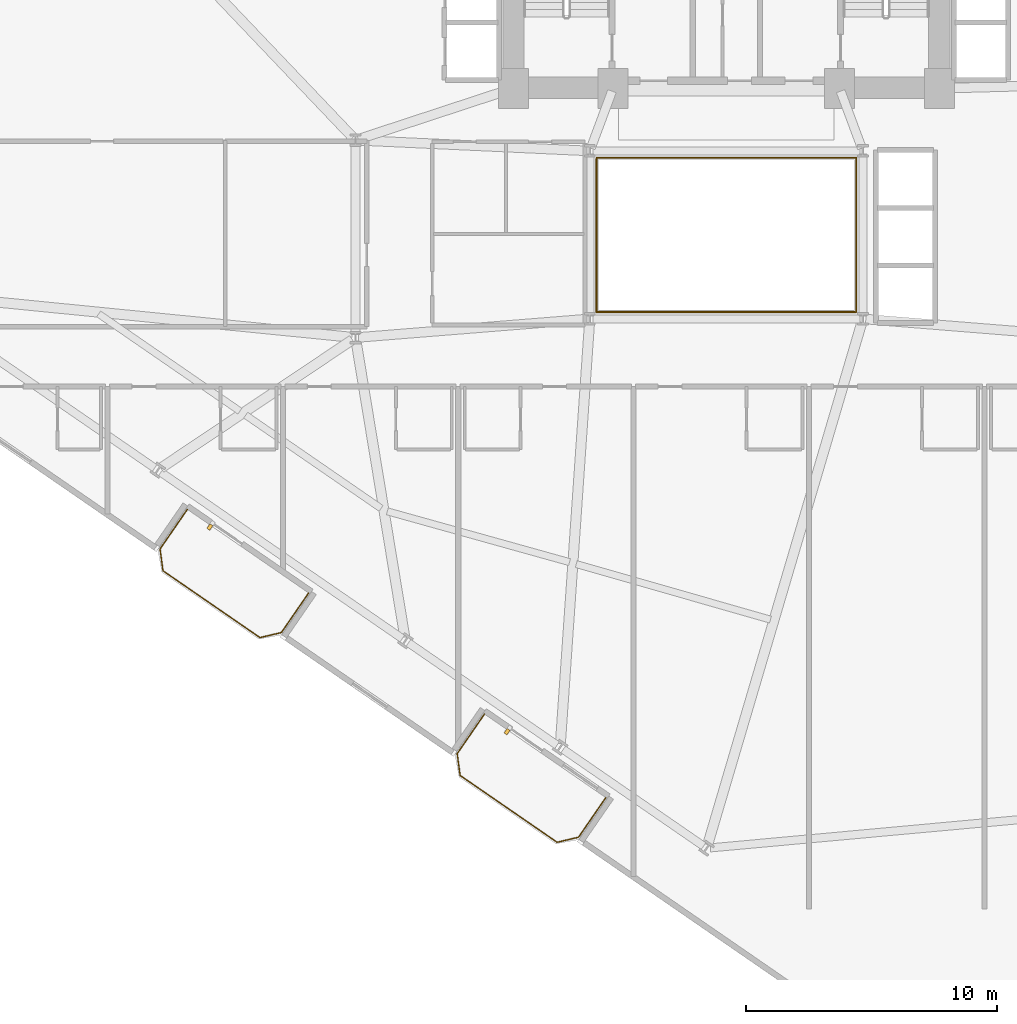
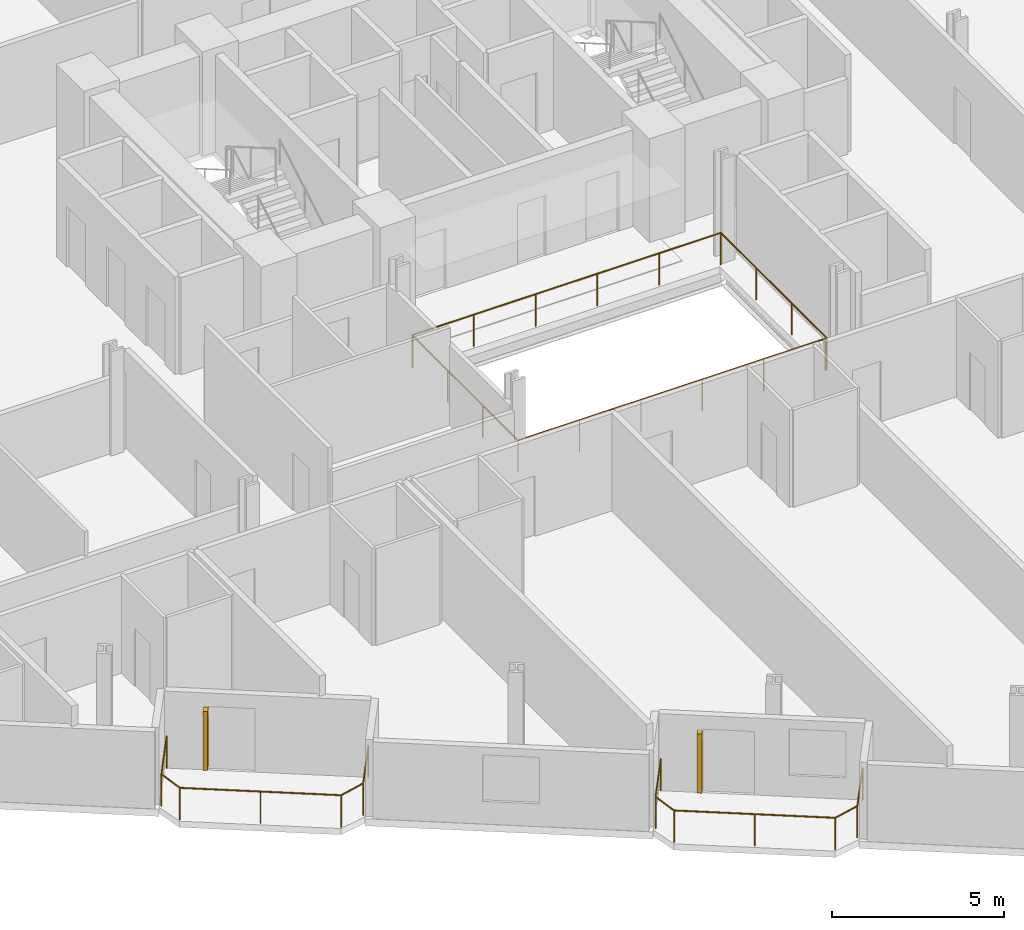
# One storey, part 23 of 25: 4 railings, 2 shading devices.
"""IFC4 building model written with IfcOpenShell, lengths in metres."""

from ifc_helpers import new_model, si_unit, direction, frame, origin, origin_2d, place, context, subcontext, project, spatial, rectangle, circle, extrude, source, transform, mapped, material, type_object, element, save


model = new_model("IFC4")

# Units and contexts
model_context = context("Model", 3, precision=1e-05, world=origin(), true_north=direction((0.0, 1.0)))
body_context = subcontext(model_context, "Body", "Model", "MODEL_VIEW")
ifc_project = project(units=[si_unit("LENGTHUNIT", "METRE"), si_unit("AREAUNIT", "SQUARE_METRE"), si_unit("VOLUMEUNIT", "CUBIC_METRE"), si_unit("PLANEANGLEUNIT", "RADIAN"), si_unit("MASSUNIT", "GRAM", prefix="KILO")], contexts=[model_context])

# Site, building, storey
site_placement = place(None, origin())
site = spatial("IfcSite", under=ifc_project, at=site_placement, CompositionType="ELEMENT")
building_placement = place(site_placement, origin())
building = spatial("IfcBuilding", under=site, at=building_placement, Name="Varnelok Gate Tower", CompositionType="ELEMENT")
storey_placement = place(building_placement, frame((0.0, 0.0, 49.199951171875)))
storey = spatial("IfcBuildingStorey", under=building, at=storey_placement, Name="L11", CompositionType="ELEMENT", Elevation=49.199951171875)

# Railings
ifc_material_1 = material(Name="Tempered Laminated Balustrade Glass", Category="glass")
railing_type_1 = type_object("IfcRailingType", Name="RL-ATR-GUARD1150", PredefinedType="GUARDRAIL", material=ifc_material_1)
railing_1_placement = place(storey_placement, frame((34.02001953125, 25.929931640625, 0.0)))
element("IfcRailing", 1, at=railing_1_placement, inside=storey, type_object=railing_type_1, Name="L11 Internal Atrium South-West Guardrail", PredefinedType="GUARDRAIL", context=body_context, shape_type="SweptSolid", body=[
    extrude(circle(Radius=0.02392578125, at=origin_2d()), frame((0.0, 0.0, 1.1259765625), z_axis=(0.0, -1.0, 0.0), x_axis=(1.0, 0.0, 0.0)), (0.0, 0.0, 1.0), 6.10986328125),
    extrude(circle(Radius=0.02392578125, at=origin_2d()), frame((0.0, -6.10986328125, 1.1259765625), z_axis=(1.0, 0.0, 0.0), x_axis=(0.0, 1.0, 0.0)), (0.0, 0.0, 1.0), 10.31005859375),
    extrude(circle(Radius=0.02099609375, at=origin_2d()), origin(), (0.0, 0.0, 1.0), 1.101806640625),
    extrude(circle(Radius=0.02099609375, at=origin_2d()), frame((0.0, -2.03662109375, 0.0)), (0.0, 0.0, 1.0), 1.101806640625),
    extrude(circle(Radius=0.02099609375, at=origin_2d()), frame((0.0, -4.0732421875, 0.0)), (0.0, 0.0, 1.0), 1.101806640625),
    extrude(circle(Radius=0.02099609375, at=origin_2d()), frame((0.0, -6.10986328125, 0.0)), (0.0, 0.0, 1.0), 1.101806640625),
    extrude(circle(Radius=0.02099609375, at=origin_2d()), frame((2.06201171875, -6.10986328125, 0.0)), (0.0, 0.0, 1.0), 1.101806640625),
    extrude(circle(Radius=0.02099609375, at=origin_2d()), frame((4.1240234375, -6.10986328125, 0.0)), (0.0, 0.0, 1.0), 1.101806640625),
    extrude(circle(Radius=0.02099609375, at=origin_2d()), frame((6.18603515625, -6.10986328125, 0.0)), (0.0, 0.0, 1.0), 1.101806640625),
    extrude(circle(Radius=0.02099609375, at=origin_2d()), frame((8.248046875, -6.10986328125, 0.0)), (0.0, 0.0, 1.0), 1.101806640625),
    extrude(circle(Radius=0.02099609375, at=origin_2d()), frame((10.31005859375, -6.10986328125, 0.0)), (0.0, 0.0, 1.0), 1.101806640625),
])
railing_2_placement = place(storey_placement, frame((44.3798828125, 19.820068359375, 0.0)))
element("IfcRailing", 2, at=railing_2_placement, inside=storey, type_object=railing_type_1, Name="L11 Internal Atrium North-East Guardrail", PredefinedType="GUARDRAIL", context=body_context, shape_type="SweptSolid", body=[
    extrude(circle(Radius=0.02392578125, at=origin_2d()), frame((0.0, 0.0, 1.1259765625), z_axis=(0.0, 1.0, 0.0), x_axis=(-1.0, 0.0, 0.0)), (0.0, 0.0, 1.0), 6.159912109375),
    extrude(circle(Radius=0.02392578125, at=origin_2d()), frame((0.0, 6.159912109375, 1.1259765625), z_axis=(-1.0, 0.0, 0.0), x_axis=(0.0, -1.0, 0.0)), (0.0, 0.0, 1.0), 10.35986328125),
    extrude(circle(Radius=0.02099609375, at=origin_2d()), origin(), (0.0, 0.0, 1.0), 1.101806640625),
    extrude(circle(Radius=0.02099609375, at=origin_2d()), frame((0.0, 2.05322265625, 0.0)), (0.0, 0.0, 1.0), 1.101806640625),
    extrude(circle(Radius=0.02099609375, at=origin_2d()), frame((0.0, 4.106689453125, 0.0)), (0.0, 0.0, 1.0), 1.101806640625),
    extrude(circle(Radius=0.02099609375, at=origin_2d()), frame((0.0, 6.159912109375, 0.0)), (0.0, 0.0, 1.0), 1.101806640625),
    extrude(circle(Radius=0.02099609375, at=origin_2d()), frame((-2.072021484375, 6.159912109375, 0.0)), (0.0, 0.0, 1.0), 1.101806640625),
    extrude(circle(Radius=0.02099609375, at=origin_2d()), frame((-4.14404296875, 6.159912109375, 0.0)), (0.0, 0.0, 1.0), 1.101806640625),
    extrude(circle(Radius=0.02099609375, at=origin_2d()), frame((-6.2158203125, 6.159912109375, 0.0)), (0.0, 0.0, 1.0), 1.101806640625),
    extrude(circle(Radius=0.02099609375, at=origin_2d()), frame((-8.287841796875, 6.159912109375, 0.0)), (0.0, 0.0, 1.0), 1.101806640625),
    extrude(circle(Radius=0.02099609375, at=origin_2d()), frame((-10.35986328125, 6.159912109375, 0.0)), (0.0, 0.0, 1.0), 1.101806640625),
])
ifc_material_2 = material(Name="Low-E Laminated Double Glazing IGU", Category="glass")
railing_type_2 = type_object("IfcRailingType", Name="RL-BALC-1150", PredefinedType="BALUSTRADE", material=ifc_material_2)
railing_3_placement = place(storey_placement, frame((17.688720703125, 11.9462890625, 0.0)))
element("IfcRailing", 3, at=railing_3_placement, inside=storey, type_object=railing_type_2, Name="L11 South Terrace Balustrade 1", PredefinedType="BALUSTRADE", context=body_context, shape_type="SweptSolid", body=[
    extrude(circle(Radius=0.02392578125, at=origin_2d()), frame((0.0, 0.0, 1.1259765625), z_axis=(-0.567224752248, -0.823563039747, 0.0), x_axis=(0.823563039747, -0.567224752248, 0.0)), (0.0, 0.0, 1.0), 1.920166015625),
    extrude(circle(Radius=0.02392578125, at=origin_2d()), frame((-1.089111328125, -1.581298828125, 1.1259765625), z_axis=(0.133511834152, -0.991047218926, 0.0), x_axis=(0.991047218926, 0.133511834152, 0.0)), (0.0, 0.0, 1.0), 0.877685546875),
    extrude(circle(Radius=0.02392578125, at=origin_2d()), frame((-0.971923828125, -2.451171875, 1.1259765625), z_axis=(0.823523239622, -0.567282534371, 0.0), x_axis=(0.567282534371, 0.823523239622, 0.0)), (0.0, 0.0, 1.0), 4.699951171875),
    extrude(circle(Radius=0.02392578125, at=origin_2d()), frame((2.898681640625, -5.117431640625, 1.1259765625), z_axis=(0.973573806257, 0.228372598553, 0.0), x_axis=(-0.228372598553, 0.973573806257, 0.0)), (0.0, 0.0, 1.0), 0.877685546875),
    extrude(circle(Radius=0.02392578125, at=origin_2d()), frame((3.753173828125, -4.9169921875, 1.1259765625), z_axis=(0.567224752248, 0.823563039747, 0.0), x_axis=(-0.823563039747, 0.567224752248, 0.0)), (0.0, 0.0, 1.0), 1.920166015625),
    extrude(circle(Radius=0.02099609375, at=origin_2d()), origin(), (0.0, 0.0, 1.0), 1.101806640625),
    extrude(circle(Radius=0.02099609375, at=origin_2d()), frame((-1.089111328125, -1.581298828125, 0.0)), (0.0, 0.0, 1.0), 1.101806640625),
    extrude(circle(Radius=0.02099609375, at=origin_2d()), frame((-0.971923828125, -2.451171875, 0.0)), (0.0, 0.0, 1.0), 1.101806640625),
    extrude(circle(Radius=0.02099609375, at=origin_2d()), frame((0.96337890625, -3.7841796875, 0.0)), (0.0, 0.0, 1.0), 1.101806640625),
    extrude(circle(Radius=0.02099609375, at=origin_2d()), frame((2.898681640625, -5.117431640625, 0.0)), (0.0, 0.0, 1.0), 1.101806640625),
    extrude(circle(Radius=0.02099609375, at=origin_2d()), frame((3.753173828125, -4.9169921875, 0.0)), (0.0, 0.0, 1.0), 1.101806640625),
    extrude(circle(Radius=0.02099609375, at=origin_2d()), frame((4.84228515625, -3.335693359375, 0.0)), (0.0, 0.0, 1.0), 1.101806640625),
])
railing_4_placement = place(storey_placement, frame((29.547607421875, 3.777587890625, 0.0)))
element("IfcRailing", 4, at=railing_4_placement, inside=storey, type_object=railing_type_2, Name="L11 South Terrace Balustrade 2", PredefinedType="BALUSTRADE", context=body_context, shape_type="SweptSolid", body=[
    extrude(circle(Radius=0.02392578125, at=origin_2d()), frame((0.0, 0.0, 1.1259765625), z_axis=(-0.567224752248, -0.823563039747, 0.0), x_axis=(0.823563039747, -0.567224752248, 0.0)), (0.0, 0.0, 1.0), 1.920166015625),
    extrude(circle(Radius=0.02392578125, at=origin_2d()), frame((-1.089111328125, -1.581298828125, 1.1259765625), z_axis=(0.133511834152, -0.991047218926, 0.0), x_axis=(0.991047218926, 0.133511834152, 0.0)), (0.0, 0.0, 1.0), 0.877685546875),
    extrude(circle(Radius=0.02392578125, at=origin_2d()), frame((-0.971923828125, -2.451171875, 1.1259765625), z_axis=(0.823523239622, -0.567282534371, 0.0), x_axis=(0.567282534371, 0.823523239622, 0.0)), (0.0, 0.0, 1.0), 4.699951171875),
    extrude(circle(Radius=0.02392578125, at=origin_2d()), frame((2.898681640625, -5.117431640625, 1.1259765625), z_axis=(0.973511928193, 0.228636229993, 0.0), x_axis=(-0.228636229993, 0.973511928193, 0.0)), (0.0, 0.0, 1.0), 0.877685546875),
    extrude(circle(Radius=0.02392578125, at=origin_2d()), frame((3.753173828125, -4.916748046875, 1.1259765625), z_axis=(0.567284155424, 0.82352212296, 0.0), x_axis=(-0.82352212296, 0.567284155424, 0.0)), (0.0, 0.0, 1.0), 1.919921875),
    extrude(circle(Radius=0.02099609375, at=origin_2d()), origin(), (0.0, 0.0, 1.0), 1.101806640625),
    extrude(circle(Radius=0.02099609375, at=origin_2d()), frame((-1.089111328125, -1.581298828125, 0.0)), (0.0, 0.0, 1.0), 1.101806640625),
    extrude(circle(Radius=0.02099609375, at=origin_2d()), frame((-0.971923828125, -2.451171875, 0.0)), (0.0, 0.0, 1.0), 1.101806640625),
    extrude(circle(Radius=0.02099609375, at=origin_2d()), frame((0.96337890625, -3.7841796875, 0.0)), (0.0, 0.0, 1.0), 1.101806640625),
    extrude(circle(Radius=0.02099609375, at=origin_2d()), frame((2.898681640625, -5.117431640625, 0.0)), (0.0, 0.0, 1.0), 1.101806640625),
    extrude(circle(Radius=0.02099609375, at=origin_2d()), frame((3.753173828125, -4.916748046875, 0.0)), (0.0, 0.0, 1.0), 1.101806640625),
    extrude(circle(Radius=0.02099609375, at=origin_2d()), frame((4.84228515625, -3.335693359375, 0.0)), (0.0, 0.0, 1.0), 1.101806640625),
])

# Shading devices
ifc_material_3 = material(Name="Glazed Architectural Terracotta Ceramic", Category="masonry")
shading_device_type = type_object("IfcShadingDeviceType", Name="SHD-TERRA-FIN", PredefinedType="USERDEFINED", material=ifc_material_3)
shared_shape = source(origin(), body_context, "Body", "SweptSolid", [
    extrude(rectangle(XDim=0.139892578125, YDim=0.219970703125, at=origin_2d()), origin(), (0.0, 0.0, 1.0), 2.10009765625),
])
for number, where, z_axis, x_axis, name in (
    (5, (18.587890625, 11.24169921875, 0.10009765625), (0.0, 0.0, 1.0), (0.823532597628, -0.567268949127, 0.0), "L11 Terracotta Ceramic Baguette Sunscreen 1.1"),
    (6, (30.44677734375, 3.072998046875, 0.10009765625), (0.0, 0.0, 1.0), (0.823532597628, -0.567268949127, 0.0), "L11 Terracotta Ceramic Baguette Sunscreen 2.1"),
):
    element("IfcShadingDevice", number, at=place(storey_placement, frame(where, z_axis=z_axis, x_axis=x_axis)), inside=storey, type_object=shading_device_type, Name=name, ObjectType="BAGUETTE", PredefinedType="USERDEFINED", context=body_context, shape_type="MappedRepresentation", body=[
        mapped(shared_shape, transform((0.0, 0.0, 0.0), scale=1.0)),
    ])

save(model, "model.ifc")
